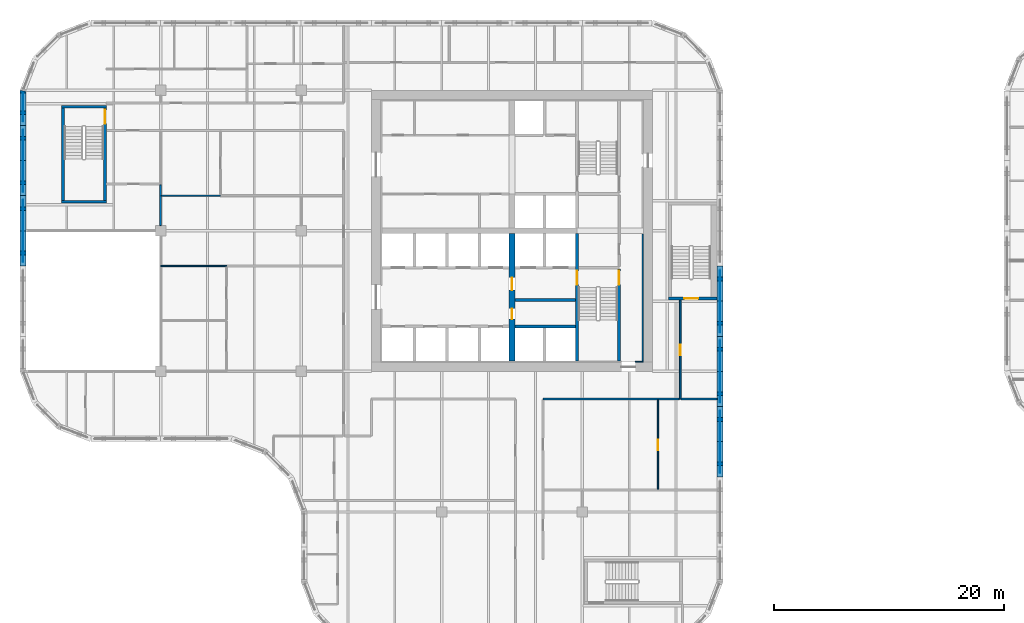
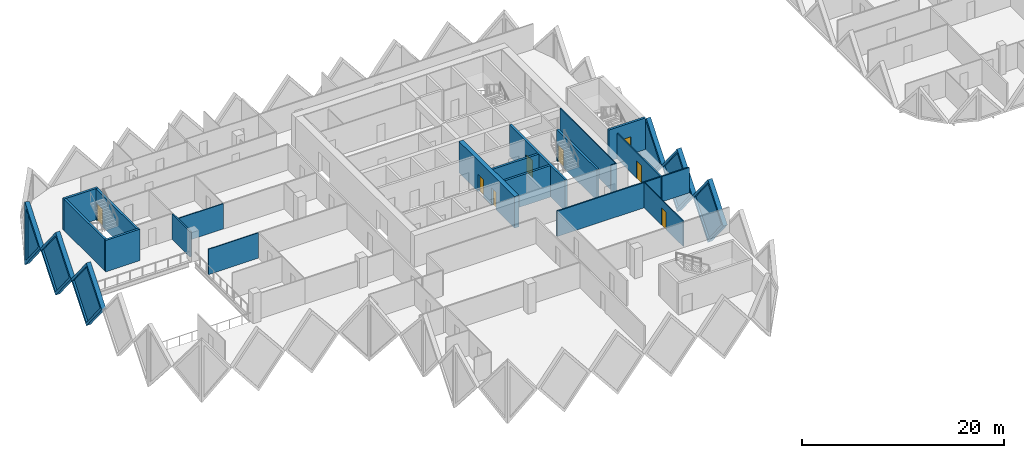
# One storey, part 7 of 18: 25 walls, 8 doors, 6 plates, 14 openings.
"""IFC4 building model written with IfcOpenShell, lengths in metres."""

from ifc_helpers import new_model, si_unit, direction, frame, frame_2d, origin, place, context, subcontext, project, spatial, polyline, rectangle, outline, extrude, faceted_brep, source, transform, mapped, material, layer, layer_set, type_object, element, fill, save


model = new_model("IFC4")

# Units and contexts
model_context = context("Model", 3, precision=1e-05, world=origin(), true_north=direction((0.0, 1.0)))
body_context = subcontext(model_context, "Body", "Model", "MODEL_VIEW")
ifc_project = project(units=[si_unit("LENGTHUNIT", "METRE"), si_unit("AREAUNIT", "SQUARE_METRE"), si_unit("VOLUMEUNIT", "CUBIC_METRE"), si_unit("PLANEANGLEUNIT", "RADIAN"), si_unit("MASSUNIT", "GRAM", prefix="KILO")], contexts=[model_context])

# Site, building, storey
site_placement = place(None, origin())
site = spatial("IfcSite", under=ifc_project, at=site_placement, CompositionType="ELEMENT")
building_placement = place(site_placement, origin())
building = spatial("IfcBuilding", under=site, at=building_placement, Name="Tessera Gate Towers", CompositionType="ELEMENT")
storey_placement = place(building_placement, frame((0.0, 0.0, 95.199951171875)))
storey = spatial("IfcBuildingStorey", under=building, at=storey_placement, Name="L23", CompositionType="ELEMENT", Elevation=95.199951171875)

# Wall, opening, door
ifc_material_1 = material(Name="Concrete C40/50", Category="concrete")
ifc_layer_1 = layer(ifc_material_1, 0.25)
ifc_layer_set_1 = layer_set([ifc_layer_1], Name="CORE ENCLOSURE WALL 250")
wall_type_1 = type_object("IfcWallType", Name="CORE ENCLOSURE WALL 250", PredefinedType="SOLIDWALL", material=ifc_layer_set_1)
wall_1_placement = place(storey_placement, frame((48.35009765625, 36.35009765625, 0.0), z_axis=(0.0, 0.0, 1.0), x_axis=(0.0, -1.0, 0.0)))
wall_1 = element("IfcWall", 1, at=wall_1_placement, inside=storey, type_object=wall_type_1, Name="L23 shaft and stair enclosure wall", PredefinedType="SOLIDWALL", context=body_context, shape_type="SweptSolid", body=[
    extrude(rectangle(XDim=11.050048828125, YDim=0.25, at=frame_2d((5.52490234375, 0.0))), origin(), (0.0, 0.0, 1.0), 3.800048828125),
])
shared_shape_1 = source(origin(), body_context, "Body", "SweptSolid", [
    extrude(rectangle(XDim=1.199951171875, YDim=2.10009765625, at=frame_2d((0.60009765625, 1.050048828125))), frame((0.0, 0.135009765625, 0.0), z_axis=(0.0, -1.0, 0.0), x_axis=(1.0, 0.0, 0.0)), (0.0, 0.0, 1.0), 0.27001953125),
])
opening_1_placement = place(wall_1_placement, frame((3.22509765625, 0.0, 0.0)))
opening_1 = element("IfcOpeningElement", 2, at=opening_1_placement, cuts=wall_1, Name="Opening SD-ST1-1", PredefinedType="OPENING", context=body_context, shape_type="MappedRepresentation", body=[
    mapped(shared_shape_1, transform((0.0, 0.0, 0.0), scale=1.0)),
])
ifc_material_2 = material(Name="Hollow steel fire door", Category="steel")
door_type_1 = type_object("IfcDoorType", Name="CORE DOOR SD 1200x2100", OperationType="NOTDEFINED", PredefinedType="DOOR", material=ifc_material_2)
shared_shape_2 = source(origin(), body_context, "Body", "SweptSolid", [
    extrude(rectangle(XDim=1.199951171875, YDim=2.10009765625, at=frame_2d((0.60009765625, 1.050048828125))), frame((0.0, 0.02490234375, 0.0), z_axis=(0.0, -1.0, 0.0), x_axis=(1.0, 0.0, 0.0)), (0.0, 0.0, 1.0), 0.050048828125),
])
door_1_placement = place(opening_1_placement, origin())
door_1 = element("IfcDoor", 3, at=door_1_placement, inside=storey, type_object=door_type_1, Name="Stair door", OperationType="SINGLE_SWING_LEFT", OverallHeight=2.10009765625, OverallWidth=1.199951171875, PredefinedType="DOOR", context=body_context, shape_type="MappedRepresentation", body=[
    mapped(shared_shape_2, transform((0.0, 0.0, 0.0), scale=1.0)),
])
fill(opening_1, door_1)

# Wall
wall_2_placement = place(storey_placement, frame((42.949951171875, 28.300048828125, 0.0), z_axis=(0.0, 0.0, 1.0), x_axis=(1.0, 0.0, 0.0)))
element("IfcWall", 4, at=wall_2_placement, inside=storey, type_object=wall_type_1, Name="L23 shaft and stair enclosure wall", PredefinedType="SOLIDWALL", context=body_context, shape_type="SweptSolid", body=[
    extrude(rectangle(XDim=5.275146484375, YDim=0.25, at=frame_2d((2.6376953125, 0.0))), origin(), (0.0, 0.0, 1.0), 3.800048828125),
])

# Wall, opening, door
wall_3_placement = place(storey_placement, frame((52.0, 25.300048828125, 0.0), z_axis=(0.0, 0.0, 1.0), x_axis=(0.0, 1.0, 0.0)))
wall_3 = element("IfcWall", 5, at=wall_3_placement, inside=storey, type_object=wall_type_1, Name="L23 shaft and stair enclosure wall", PredefinedType="SOLIDWALL", context=body_context, shape_type="SweptSolid", body=[
    extrude(rectangle(XDim=7.974853515625, YDim=0.25, at=frame_2d((3.9873046875, 0.0))), origin(), (0.0, 0.0, 1.0), 3.800048828125),
])
opening_2_placement = place(wall_3_placement, frame((6.625, 0.0, 0.0)))
opening_2 = element("IfcOpeningElement", 6, at=opening_2_placement, cuts=wall_3, Name="Opening SD-ST1-2", PredefinedType="OPENING", context=body_context, shape_type="MappedRepresentation", body=[
    mapped(shared_shape_1, transform((0.0, 0.0, 0.0), scale=1.0)),
])
door_2_placement = place(opening_2_placement, origin())
door_2 = element("IfcDoor", 7, at=door_2_placement, inside=storey, type_object=door_type_1, Name="Stair door", OperationType="SINGLE_SWING_RIGHT", OverallHeight=2.10009765625, OverallWidth=1.199951171875, PredefinedType="DOOR", context=body_context, shape_type="MappedRepresentation", body=[
    mapped(shared_shape_2, transform((0.0, 0.0, 0.0), scale=1.0)),
])
fill(opening_2, door_2)

# Walls
wall_4_placement = place(storey_placement, frame((42.949951171875, 30.60009765625, 0.0), z_axis=(0.0, 0.0, 1.0), x_axis=(1.0, 0.0, 0.0)))
element("IfcWall", 8, at=wall_4_placement, inside=storey, type_object=wall_type_1, Name="L23 shaft and stair enclosure wall", PredefinedType="SOLIDWALL", context=body_context, shape_type="SweptSolid", body=[
    extrude(rectangle(XDim=5.275146484375, YDim=0.25, at=frame_2d((2.6376953125, 0.0))), origin(), (0.0, 0.0, 1.0), 3.800048828125),
])
wall_5_placement = place(storey_placement, frame((7.5, 39.125, 0.0), z_axis=(0.0, 0.0, 1.0), x_axis=(-1.0, 0.0, 0.0)))
element("IfcWall", 9, at=wall_5_placement, inside=storey, type_object=wall_type_1, Name="L23 ST3 enclosure wall", PredefinedType="SOLIDWALL", context=body_context, shape_type="SweptSolid", body=[
    extrude(rectangle(XDim=3.89990234375, YDim=0.25, at=frame_2d((1.949951171875, 0.0))), origin(), (0.0, 0.0, 1.0), 3.800048828125),
])
wall_6_placement = place(storey_placement, frame((3.72509765625, 39.25, 0.0), z_axis=(0.0, 0.0, 1.0), x_axis=(0.0, 1.0, 0.0)))
element("IfcWall", 10, at=wall_6_placement, inside=storey, type_object=wall_type_1, Name="L23 ST3 enclosure wall", PredefinedType="SOLIDWALL", context=body_context, shape_type="SweptSolid", body=[
    extrude(rectangle(XDim=8.0, YDim=0.25, at=frame_2d((4.0, 0.0))), origin(), (0.0, 0.0, 1.0), 3.800048828125),
])
wall_7_placement = place(storey_placement, frame((3.60009765625, 47.375, 0.0), z_axis=(0.0, 0.0, 1.0), x_axis=(1.0, 0.0, 0.0)))
element("IfcWall", 11, at=wall_7_placement, inside=storey, type_object=wall_type_1, Name="L23 ST3 enclosure wall", PredefinedType="SOLIDWALL", context=body_context, shape_type="SweptSolid", body=[
    extrude(rectangle(XDim=3.89990234375, YDim=0.25, at=frame_2d((1.949951171875, 0.0))), origin(), (0.0, 0.0, 1.0), 3.800048828125),
])

# Wall, opening, door
wall_8_placement = place(storey_placement, frame((7.375, 47.25, 0.0), z_axis=(0.0, 0.0, 1.0), x_axis=(0.0, -1.0, 0.0)))
wall_8 = element("IfcWall", 12, at=wall_8_placement, inside=storey, type_object=wall_type_1, Name="L23 ST3 enclosure wall", PredefinedType="SOLIDWALL", context=body_context, shape_type="SweptSolid", body=[
    extrude(rectangle(XDim=8.0, YDim=0.25, at=frame_2d((4.0, 0.0))), origin(), (0.0, 0.0, 1.0), 3.800048828125),
])
opening_3_placement = place(wall_8_placement, frame((0.14990234375, 0.0, 0.0)))
opening_3 = element("IfcOpeningElement", 13, at=opening_3_placement, cuts=wall_8, Name="Opening SD-ST3-1", PredefinedType="OPENING", context=body_context, shape_type="MappedRepresentation", body=[
    mapped(shared_shape_1, transform((0.0, 0.0, 0.0), scale=1.0)),
])
door_3_placement = place(opening_3_placement, origin())
door_3 = element("IfcDoor", 14, at=door_3_placement, inside=storey, type_object=door_type_1, Name="Stair door", OperationType="SINGLE_SWING_LEFT", OverallHeight=2.10009765625, OverallWidth=1.199951171875, PredefinedType="DOOR", context=body_context, shape_type="MappedRepresentation", body=[
    mapped(shared_shape_2, transform((0.0, 0.0, 0.0), scale=1.0)),
])
fill(opening_3, door_3)

wall_9_placement = place(storey_placement, frame((60.5, 30.72509765625, 0.0), z_axis=(0.0, 0.0, 1.0), x_axis=(-1.0, 0.0, 0.0)))
wall_9 = element("IfcWall", 15, at=wall_9_placement, inside=storey, type_object=wall_type_1, Name="L23 ST5 enclosure wall", PredefinedType="SOLIDWALL", context=body_context, shape_type="SweptSolid", body=[
    extrude(rectangle(XDim=4.199951171875, YDim=0.25, at=frame_2d((2.10009765625, 0.0))), origin(), (0.0, 0.0, 1.0), 3.800048828125),
])
opening_4_placement = place(wall_9_placement, frame((1.64990234375, 0.0, 0.0)))
opening_4 = element("IfcOpeningElement", 16, at=opening_4_placement, cuts=wall_9, Name="Opening SD-ST5-1", PredefinedType="OPENING", context=body_context, shape_type="MappedRepresentation", body=[
    mapped(shared_shape_1, transform((0.0, 0.0, 0.0), scale=1.0)),
])
door_4_placement = place(opening_4_placement, origin())
door_4 = element("IfcDoor", 17, at=door_4_placement, inside=storey, type_object=door_type_1, Name="Stair door", OperationType="SINGLE_SWING_RIGHT", OverallHeight=2.10009765625, OverallWidth=1.199951171875, PredefinedType="DOOR", context=body_context, shape_type="MappedRepresentation", body=[
    mapped(shared_shape_2, transform((0.0, 0.0, 0.0), scale=1.0)),
])
fill(opening_4, door_4)

# Wall, openings, doors
ifc_material_3 = material(Name="Concrete C60/75", Category="concrete")
ifc_layer_2 = layer(ifc_material_3, 0.5)
ifc_layer_set_2 = layer_set([ifc_layer_2], Name="CORE SPINE WALL 500 C60/75")
wall_type_2 = type_object("IfcWallType", Name="CORE SPINE WALL 500 C60/75", PredefinedType="SHEAR", material=ifc_layer_set_2)
wall_10_placement = place(storey_placement, frame((42.699951171875, 36.35009765625, 0.0), z_axis=(0.0, 0.0, 1.0), x_axis=(0.0, -1.0, 0.0)))
wall_10 = element("IfcWall", 18, at=wall_10_placement, inside=storey, type_object=wall_type_2, Name="Core wall spine L23", PredefinedType="SHEAR", context=body_context, shape_type="SweptSolid", body=[
    extrude(rectangle(XDim=11.050048828125, YDim=0.5, at=frame_2d((5.52490234375, 0.0))), origin(), (0.0, 0.0, 1.0), 3.800048828125),
])
shared_shape_3 = source(origin(), body_context, "Body", "SweptSolid", [
    extrude(rectangle(XDim=0.89990234375, YDim=2.10009765625, at=frame_2d((0.449951171875, 1.050048828125))), frame((0.0, 0.260009765625, 0.0), z_axis=(0.0, -1.0, 0.0), x_axis=(1.0, 0.0, 0.0)), (0.0, 0.0, 1.0), 0.52001953125),
])
opening_5_placement = place(wall_10_placement, frame((6.5, 0.0, 0.0)))
opening_5 = element("IfcOpeningElement", 19, at=opening_5_placement, cuts=wall_10, Name="Opening RD-T1-15-05", PredefinedType="OPENING", context=body_context, shape_type="MappedRepresentation", body=[
    mapped(shared_shape_3, transform((0.0, 0.0, 0.0), scale=1.0)),
])
shared_shape_4 = source(origin(), body_context, "Body", "SweptSolid", [
    extrude(rectangle(XDim=1.10009765625, YDim=2.10009765625, at=frame_2d((0.550048828125, 1.050048828125))), frame((0.0, 0.260009765625, 0.0), z_axis=(0.0, -1.0, 0.0), x_axis=(1.0, 0.0, 0.0)), (0.0, 0.0, 1.0), 0.52001953125),
])
opening_6_placement = place(wall_10_placement, frame((3.800048828125, 0.0, 0.0)))
opening_6 = element("IfcOpeningElement", 20, at=opening_6_placement, cuts=wall_10, Name="Opening FD-T1-15-06", PredefinedType="OPENING", context=body_context, shape_type="MappedRepresentation", body=[
    mapped(shared_shape_4, transform((0.0, 0.0, 0.0), scale=1.0)),
])
ifc_material_4 = material(Name="Hollow steel fire door", Category="steel")
door_type_2 = type_object("IfcDoorType", Name="CORE DOOR RD 900x2100", OperationType="NOTDEFINED", PredefinedType="DOOR", material=ifc_material_4)
shared_shape_5 = source(origin(), body_context, "Body", "SweptSolid", [
    extrude(rectangle(XDim=0.89990234375, YDim=2.10009765625, at=frame_2d((0.449951171875, 1.050048828125))), frame((0.0, 0.02490234375, 0.0), z_axis=(0.0, -1.0, 0.0), x_axis=(1.0, 0.0, 0.0)), (0.0, 0.0, 1.0), 0.050048828125),
])
door_5_placement = place(opening_5_placement, origin())
door_5 = element("IfcDoor", 21, at=door_5_placement, inside=storey, type_object=door_type_2, Name="Core room door", OperationType="SINGLE_SWING_RIGHT", OverallHeight=2.10009765625, OverallWidth=0.89990234375, PredefinedType="DOOR", context=body_context, shape_type="MappedRepresentation", body=[
    mapped(shared_shape_5, transform((0.0, 0.0, 0.0), scale=1.0)),
])
fill(opening_5, door_5)
ifc_material_5 = material(Name="Hollow steel fire door", Category="steel")
door_type_3 = type_object("IfcDoorType", Name="CORE DOOR FD 1100x2100", OperationType="NOTDEFINED", PredefinedType="DOOR", material=ifc_material_5)
shared_shape_6 = source(origin(), body_context, "Body", "SweptSolid", [
    extrude(rectangle(XDim=1.10009765625, YDim=2.10009765625, at=frame_2d((0.550048828125, 1.050048828125))), frame((0.0, 0.02490234375, 0.0), z_axis=(0.0, -1.0, 0.0), x_axis=(1.0, 0.0, 0.0)), (0.0, 0.0, 1.0), 0.050048828125),
])
door_6_placement = place(opening_6_placement, origin())
door_6 = element("IfcDoor", 22, at=door_6_placement, inside=storey, type_object=door_type_3, Name="Fire-fighting lobby door", OperationType="SINGLE_SWING_LEFT", OverallHeight=2.10009765625, OverallWidth=1.10009765625, PredefinedType="DOOR", context=body_context, shape_type="MappedRepresentation", body=[
    mapped(shared_shape_6, transform((0.0, 0.0, 0.0), scale=1.0)),
])
fill(opening_6, door_6)

# Walls
ifc_material_6 = material(Name="Concrete C60/75", Category="concrete")
ifc_layer_3 = layer(ifc_material_6, 0.10009765625)
ifc_layer_set_3 = layer_set([ifc_layer_3], Name="CORE WALL THICKENING 100")
wall_type_3 = type_object("IfcWallType", Name="CORE WALL THICKENING 100", PredefinedType="SOLIDWALL", material=ifc_layer_set_3)
wall_11_placement = place(storey_placement, frame((53.39990234375, 25.25, 0.0), z_axis=(0.0, 0.0, 1.0), x_axis=(1.0, 0.0, 0.0)))
element("IfcWall", 23, at=wall_11_placement, inside=storey, type_object=wall_type_3, Name="Core wall thickening S L23", PredefinedType="SOLIDWALL", context=body_context, shape_type="SweptSolid", body=[
    extrude(rectangle(XDim=0.7001953125, YDim=0.10009765625, at=frame_2d((0.35009765625, 0.0))), origin(), (0.0, 0.0, 1.0), 3.800048828125),
])
wall_12_placement = place(storey_placement, frame((54.050048828125, 25.300048828125, 0.0), z_axis=(0.0, 0.0, 1.0), x_axis=(0.0, 1.0, 0.0)))
element("IfcWall", 24, at=wall_12_placement, inside=storey, type_object=wall_type_3, Name="Core wall thickening E L23", PredefinedType="SOLIDWALL", context=body_context, shape_type="SweptSolid", body=[
    extrude(rectangle(XDim=11.02001953125, YDim=0.10009765625, at=frame_2d((5.510009765625, 0.0))), origin(), (0.0, 0.0, 1.0), 3.800048828125),
])
ifc_material_7 = material(Name="Gypsum board on steel studs, mineral wool", Category="steel")
ifc_layer_4 = layer(ifc_material_7, 0.14990234375)
ifc_layer_set_4 = layer_set([ifc_layer_4], Name="CORRIDOR WALL 150")
wall_type_4 = type_object("IfcWallType", Name="CORRIDOR WALL 150", PredefinedType="PARTITIONING", material=ifc_layer_set_4)
wall_13_placement = place(storey_placement, frame((45.39990234375, 22.0, 0.0), z_axis=(0.0, 0.0, 1.0), x_axis=(1.0, 0.0, 0.0)))
element("IfcWall", 25, at=wall_13_placement, inside=storey, type_object=wall_type_4, Name="T1-L23-PW-023", PredefinedType="PARTITIONING", context=body_context, shape_type="SweptSolid", body=[
    extrude(rectangle(XDim=11.82421875, YDim=0.14990234375, at=frame_2d((5.912109375, 0.0))), origin(), (0.0, 0.0, 1.0), 3.067138671875),
])

# Wall, opening, door
wall_14_placement = place(storey_placement, frame((57.300048828125, 30.60009765625, 0.0), z_axis=(0.0, 0.0, 1.0), x_axis=(0.0, -1.0, 0.0)))
wall_14 = element("IfcWall", 26, at=wall_14_placement, inside=storey, type_object=wall_type_4, Name="T1-L23-PW-024", PredefinedType="PARTITIONING", context=body_context, shape_type="SweptSolid", body=[
    extrude(rectangle(XDim=8.60009765625, YDim=0.14990234375, at=frame_2d((4.300048828125, 0.0))), origin(), (0.0, 0.0, 1.0), 3.067138671875),
])
shared_shape_7 = source(origin(), body_context, "Body", "SweptSolid", [
    extrude(rectangle(XDim=0.89990234375, YDim=2.10009765625, at=frame_2d((0.449951171875, 1.050048828125))), frame((0.0, 0.0849609375, 0.0), z_axis=(0.0, -1.0, 0.0), x_axis=(1.0, 0.0, 0.0)), (0.0, 0.0, 1.0), 0.169921875),
])
opening_7_placement = place(wall_14_placement, frame((3.89990234375, 0.0, 0.0)))
opening_7 = element("IfcOpeningElement", 27, at=opening_7_placement, cuts=wall_14, Name="Opening D890FD60-A08-06", PredefinedType="OPENING", context=body_context, shape_type="MappedRepresentation", body=[
    mapped(shared_shape_7, transform((0.0, 0.0, 0.0), scale=1.0)),
])
ifc_material_8 = material(Name="Timber door leaf in steel frame", Category="steel")
door_type_4 = type_object("IfcDoorType", Name="CORRIDOR DOOR 900 FD60", OperationType="NOTDEFINED", PredefinedType="DOOR", material=ifc_material_8)
door_7_placement = place(opening_7_placement, origin())
door_7 = element("IfcDoor", 28, at=door_7_placement, inside=storey, type_object=door_type_4, Name="T1-L23-PD-021", OperationType="SINGLE_SWING_RIGHT", OverallHeight=2.10009765625, OverallWidth=0.89990234375, PredefinedType="DOOR", context=body_context, shape_type="MappedRepresentation", body=[
    mapped(shared_shape_5, transform((0.0, 0.0, 0.0), scale=1.0)),
])
fill(opening_7, door_7)

ifc_material_9 = material(Name="Glass", Category="glass")
ifc_layer_5 = layer(ifc_material_9, 0.10009765625)
ifc_layer_set_5 = layer_set([ifc_layer_5], Name="GLAZED PARTITION 100")
wall_type_5 = type_object("IfcWallType", Name="GLAZED PARTITION 100", PredefinedType="PARTITIONING", material=ifc_layer_set_5)
wall_15_placement = place(storey_placement, frame((55.364990234375, 21.924072265625, 0.0), z_axis=(0.0, 0.0, 1.0), x_axis=(0.0, -1.0, 0.0)))
wall_15 = element("IfcWall", 29, at=wall_15_placement, inside=storey, type_object=wall_type_5, Name="T1-L23-PW-014", PredefinedType="PARTITIONING", context=body_context, shape_type="SweptSolid", body=[
    extrude(rectangle(XDim=7.748046875, YDim=0.10009765625, at=frame_2d((3.8740234375, 0.0))), origin(), (0.0, 0.0, 1.0), 3.067138671875),
])
shared_shape_8 = source(origin(), body_context, "Body", "SweptSolid", [
    extrude(rectangle(XDim=0.89990234375, YDim=2.10009765625, at=frame_2d((0.449951171875, 1.050048828125))), frame((0.0, 0.06005859375, 0.0), z_axis=(0.0, -1.0, 0.0), x_axis=(1.0, 0.0, 0.0)), (0.0, 0.0, 1.0), 0.1201171875),
])
opening_8_placement = place(wall_15_placement, frame((3.447998046875, 0.0, 0.0)))
opening_8 = element("IfcOpeningElement", 30, at=opening_8_placement, cuts=wall_15, Name="Opening D690-A08-10", PredefinedType="OPENING", context=body_context, shape_type="MappedRepresentation", body=[
    mapped(shared_shape_8, transform((0.0, 0.0, 0.0), scale=1.0)),
])
ifc_material_10 = material(Name="Glass in aluminium frame", Category="aluminium")
door_type_5 = type_object("IfcDoorType", Name="GLAZED DOOR 900 NOT RATED", OperationType="NOTDEFINED", PredefinedType="DOOR", material=ifc_material_10)
door_8_placement = place(opening_8_placement, origin())
door_8 = element("IfcDoor", 31, at=door_8_placement, inside=storey, type_object=door_type_5, Name="T1-L23-PD-018", OperationType="SINGLE_SWING_RIGHT", OverallHeight=2.10009765625, OverallWidth=0.89990234375, PredefinedType="DOOR", context=body_context, shape_type="MappedRepresentation", body=[
    mapped(shared_shape_5, transform((0.0, 0.0, 0.0), scale=1.0)),
])
fill(opening_8, door_8)

# Walls
wall_16_placement = place(storey_placement, frame((12.199951171875, 33.550048828125, 0.0), z_axis=(0.0, 0.0, 1.0), x_axis=(1.0, 0.0, 0.0)))
element("IfcWall", 32, at=wall_16_placement, inside=storey, type_object=wall_type_5, Name="T1-L23-PW-032", PredefinedType="PARTITIONING", context=body_context, shape_type="SweptSolid", body=[
    extrude(rectangle(XDim=5.72412109375, YDim=0.10009765625, at=frame_2d((2.862060546875, 0.0))), origin(), (0.0, 0.0, 1.0), 3.067138671875),
])
wall_17_placement = place(storey_placement, frame((12.27587890625, 39.64990234375, 0.0), z_axis=(0.0, 0.0, 1.0), x_axis=(1.0, 0.0, 0.0)))
element("IfcWall", 33, at=wall_17_placement, inside=storey, type_object=wall_type_5, Name="T1-L23-PW-036", PredefinedType="PARTITIONING", context=body_context, shape_type="SweptSolid", body=[
    extrude(rectangle(XDim=5.123046875, YDim=0.10009765625, at=frame_2d((2.5615234375, 0.0))), origin(), (0.0, 0.0, 1.0), 3.067138671875),
])
ifc_material_11 = material(Name="Gypsum board on steel studs, mineral wool", Category="steel")
ifc_layer_6 = layer(ifc_material_11, 0.14990234375)
ifc_layer_set_6 = layer_set([ifc_layer_6], Name="TENANCY WALL 150")
wall_type_6 = type_object("IfcWallType", Name="TENANCY WALL 150", PredefinedType="PARTITIONING", material=ifc_layer_set_6)
wall_18_placement = place(storey_placement, frame((57.3759765625, 22.0, 0.0), z_axis=(0.0, 0.0, 1.0), x_axis=(1.0, 0.0, 0.0)))
element("IfcWall", 34, at=wall_18_placement, inside=storey, type_object=wall_type_6, Name="T1-L23-PW-025", PredefinedType="PARTITIONING", context=body_context, shape_type="SweptSolid", body=[
    extrude(rectangle(XDim=3.1240234375, YDim=0.14990234375, at=frame_2d((1.56201171875, 0.0))), origin(), (0.0, 0.0, 1.0), 3.067138671875),
])
wall_19_placement = place(storey_placement, frame((12.199951171875, 37.051025390625, 0.0), z_axis=(0.0, 0.0, 1.0), x_axis=(0.0, 1.0, 0.0)))
element("IfcWall", 35, at=wall_19_placement, inside=storey, type_object=wall_type_6, Name="T1-L23-PW-034", PredefinedType="PARTITIONING", context=body_context, shape_type="SweptSolid", body=[
    extrude(rectangle(XDim=3.548095703125, YDim=0.14990234375, at=frame_2d((1.77392578125, 0.0))), origin(), (0.0, 0.0, 1.0), 3.067138671875),
])

# Wall, opening, plate
ifc_material_12 = material(Name="Precast concrete C60/75 white", Category="concrete")
ifc_layer_7 = layer(ifc_material_12, 0.5)
ifc_layer_set_7 = layer_set([ifc_layer_7], Name="TS1 tessera")
wall_type_7 = type_object("IfcWallType", Name="TS1 tessera", PredefinedType="SOLIDWALL", material=ifc_layer_set_7)
shared_shape_9 = source(origin(), body_context, "Body", "Brep", [
    faceted_brep([(3.050048828125, -0.25, 0.0), (6.099853515625, -0.25, 3.7998046875), (6.099853515625, -0.25, 3.80029296875), (3.050048828125, -0.25, 7.60009765625), (0.0, -0.25, 3.800048828125), (0.0, 0.25, 3.800048828125), (3.050048828125, 0.25, 7.60009765625), (6.099853515625, 0.25, 3.80029296875), (6.099853515625, 0.25, 3.7998046875), (3.050048828125, 0.25, 0.0)], [[[0, 1, 2, 3, 4]], [[5, 6, 7, 8, 9]], [[9, 8, 1, 0]], [[7, 6, 3, 2]], [[6, 5, 4, 3]], [[5, 9, 0, 4]], [[1, 8, 7, 2]]]),
])
wall_20_placement = place(storey_placement, frame((60.75, 21.35009765625, -3.800048828125), z_axis=(0.0, 0.0, 1.0), x_axis=(0.0, 1.0, 0.0)))
wall_20 = element("IfcWall", 36, at=wall_20_placement, inside=storey, type_object=wall_type_7, Name="Precast tessera T1 TS1-0374", PredefinedType="SOLIDWALL", context=body_context, shape_type="MappedRepresentation", body=[
    mapped(shared_shape_9, transform((0.0, 0.0, 0.0), scale=1.0)),
])
shared_shape_10 = source(origin(), body_context, "Body", "SweptSolid", [
    extrude(outline(polyline([(3.050048828125, 0.3994140625), (5.779541015625, 3.800048828125), (3.050048828125, 7.20068359375), (0.320556640625, 3.800048828125), (3.050048828125, 0.3994140625)])), frame((0.0, 0.260009765625, 0.0), z_axis=(0.0, -1.0, 0.0), x_axis=(1.0, 0.0, 0.0)), (0.0, 0.0, 1.0), 0.52001953125),
])
opening_9_placement = place(wall_20_placement, origin())
opening_9 = element("IfcOpeningElement", 37, at=opening_9_placement, cuts=wall_20, Name="Opening T1-PL2-0762", PredefinedType="OPENING", context=body_context, shape_type="MappedRepresentation", body=[
    mapped(shared_shape_10, transform((0.0, 0.0, 0.0), scale=1.0)),
])
ifc_material_13 = material(Name="Low-e laminated glass", Category="glass")
ifc_layer_8 = layer(ifc_material_13, 0.06005859375)
ifc_layer_set_8 = layer_set([ifc_layer_8], Name="PL2 rhombic pane")
plate_type = type_object("IfcPlateType", Name="PL2 rhombic pane", PredefinedType="SHEET", material=ifc_layer_set_8)
shared_shape_11 = source(origin(), body_context, "Body", "SweptSolid", [
    extrude(outline(polyline([(3.050048828125, 0.3994140625), (5.779541015625, 3.800048828125), (3.050048828125, 7.20068359375), (0.320556640625, 3.800048828125), (3.050048828125, 0.3994140625)])), frame((0.0, 0.030029296875, 0.0), z_axis=(0.0, -1.0, 0.0), x_axis=(1.0, 0.0, 0.0)), (0.0, 0.0, 1.0), 0.06005859375),
])
plate_1_placement = place(opening_9_placement, origin())
plate_1 = element("IfcPlate", 38, at=plate_1_placement, inside=storey, type_object=plate_type, Name="Glass pane T1 PL2-0762", PredefinedType="SHEET", context=body_context, shape_type="MappedRepresentation", body=[
    mapped(shared_shape_11, transform((0.0, 0.0, 0.0), scale=1.0)),
])
fill(opening_9, plate_1)

wall_21_placement = place(storey_placement, frame((0.25, 39.64990234375, -3.800048828125), z_axis=(0.0, 0.0, 1.0), x_axis=(0.0, -1.0, 0.0)))
wall_21 = element("IfcWall", 39, at=wall_21_placement, inside=storey, type_object=wall_type_7, Name="Precast tessera T1 TS1-0387", PredefinedType="SOLIDWALL", context=body_context, shape_type="MappedRepresentation", body=[
    mapped(shared_shape_9, transform((0.0, 0.0, 0.0), scale=1.0)),
])
opening_10_placement = place(wall_21_placement, origin())
opening_10 = element("IfcOpeningElement", 40, at=opening_10_placement, cuts=wall_21, Name="Opening T1-PL2-0783", PredefinedType="OPENING", context=body_context, shape_type="MappedRepresentation", body=[
    mapped(shared_shape_10, transform((0.0, 0.0, 0.0), scale=1.0)),
])
plate_2_placement = place(opening_10_placement, origin())
plate_2 = element("IfcPlate", 41, at=plate_2_placement, inside=storey, type_object=plate_type, Name="Glass pane T1 PL2-0783", PredefinedType="SHEET", context=body_context, shape_type="MappedRepresentation", body=[
    mapped(shared_shape_11, transform((0.0, 0.0, 0.0), scale=1.0)),
])
fill(opening_10, plate_2)

shared_shape_12 = source(origin(), body_context, "Body", "SweptSolid", [
    extrude(outline(polyline([(3.050048828125, 0.0), (6.10009765625, 3.800048828125), (3.050048828125, 7.60009765625), (0.0, 3.800048828125), (3.050048828125, 0.0)])), frame((0.0, 0.25, 0.0), z_axis=(0.0, -1.0, 0.0), x_axis=(1.0, 0.0, 0.0)), (0.0, 0.0, 1.0), 0.5),
])
wall_22_placement = place(storey_placement, frame((60.75, 15.25, -3.800048828125), z_axis=(0.0, 0.0, 1.0), x_axis=(0.0, 1.0, 0.0)))
wall_22 = element("IfcWall", 42, at=wall_22_placement, inside=storey, type_object=wall_type_7, Name="Precast tessera T1 TS1-0373", PredefinedType="SOLIDWALL", context=body_context, shape_type="MappedRepresentation", body=[
    mapped(shared_shape_12, transform((0.0, 0.0, 0.0), scale=1.0)),
])
opening_11_placement = place(wall_22_placement, origin())
opening_11 = element("IfcOpeningElement", 43, at=opening_11_placement, cuts=wall_22, Name="Opening T1-PL2-0761", PredefinedType="OPENING", context=body_context, shape_type="MappedRepresentation", body=[
    mapped(shared_shape_10, transform((0.0, 0.0, 0.0), scale=1.0)),
])
plate_3_placement = place(opening_11_placement, origin())
plate_3 = element("IfcPlate", 44, at=plate_3_placement, inside=storey, type_object=plate_type, Name="Glass pane T1 PL2-0761", PredefinedType="SHEET", context=body_context, shape_type="MappedRepresentation", body=[
    mapped(shared_shape_11, transform((0.0, 0.0, 0.0), scale=1.0)),
])
fill(opening_11, plate_3)

wall_23_placement = place(storey_placement, frame((60.75, 27.449951171875, -3.800048828125), z_axis=(0.0, 0.0, 1.0), x_axis=(0.0, 1.0, 0.0)))
wall_23 = element("IfcWall", 45, at=wall_23_placement, inside=storey, type_object=wall_type_7, Name="Precast tessera T1 TS1-0375", PredefinedType="SOLIDWALL", context=body_context, shape_type="MappedRepresentation", body=[
    mapped(shared_shape_12, transform((0.0, 0.0, 0.0), scale=1.0)),
])
opening_12_placement = place(wall_23_placement, origin())
opening_12 = element("IfcOpeningElement", 46, at=opening_12_placement, cuts=wall_23, Name="Opening T1-PL2-0763", PredefinedType="OPENING", context=body_context, shape_type="MappedRepresentation", body=[
    mapped(shared_shape_10, transform((0.0, 0.0, 0.0), scale=1.0)),
])
plate_4_placement = place(opening_12_placement, origin())
plate_4 = element("IfcPlate", 47, at=plate_4_placement, inside=storey, type_object=plate_type, Name="Glass pane T1 PL2-0763", PredefinedType="SHEET", context=body_context, shape_type="MappedRepresentation", body=[
    mapped(shared_shape_11, transform((0.0, 0.0, 0.0), scale=1.0)),
])
fill(opening_12, plate_4)

wall_24_placement = place(storey_placement, frame((0.25, 45.75, -3.800048828125), z_axis=(0.0, 0.0, 1.0), x_axis=(0.0, -1.0, 0.0)))
wall_24 = element("IfcWall", 48, at=wall_24_placement, inside=storey, type_object=wall_type_7, Name="Precast tessera T1 TS1-0386", PredefinedType="SOLIDWALL", context=body_context, shape_type="MappedRepresentation", body=[
    mapped(shared_shape_12, transform((0.0, 0.0, 0.0), scale=1.0)),
])
opening_13_placement = place(wall_24_placement, origin())
opening_13 = element("IfcOpeningElement", 49, at=opening_13_placement, cuts=wall_24, Name="Opening T1-PL2-0782", PredefinedType="OPENING", context=body_context, shape_type="MappedRepresentation", body=[
    mapped(shared_shape_10, transform((0.0, 0.0, 0.0), scale=1.0)),
])
plate_5_placement = place(opening_13_placement, origin())
plate_5 = element("IfcPlate", 50, at=plate_5_placement, inside=storey, type_object=plate_type, Name="Glass pane T1 PL2-0782", PredefinedType="SHEET", context=body_context, shape_type="MappedRepresentation", body=[
    mapped(shared_shape_11, transform((0.0, 0.0, 0.0), scale=1.0)),
])
fill(opening_13, plate_5)

ifc_material_14 = material(Name="Precast concrete C60/75 white", Category="concrete")
ifc_layer_9 = layer(ifc_material_14, 0.5)
ifc_layer_set_9 = layer_set([ifc_layer_9], Name="TS3 corner tessera")
wall_type_8 = type_object("IfcWallType", Name="TS3 corner tessera", PredefinedType="SOLIDWALL", material=ifc_layer_set_9)
shared_shape_13 = source(origin(), body_context, "Body", "Brep", [
    faceted_brep([(0.046630859375, -0.25, 0.0), (3.050048828125, -0.25, 3.800048828125), (0.046630859375, -0.25, 7.60009765625), (0.0, -0.25, 7.5400390625), (0.0, -0.25, 0.06005859375), (0.09326171875, 0.25, 7.541259765625), (3.050048828125, 0.25, 3.800048828125), (0.09326171875, 0.25, 0.058837890625), (0.046630859375, 0.0, 0.0), (0.046630859375, 0.0, 7.60009765625)], [[[0, 1, 2, 3, 4]], [[5, 6, 7]], [[7, 6, 1, 0, 8]], [[6, 5, 9, 2, 1]], [[3, 2, 9]], [[8, 0, 4]], [[7, 8, 4, 3, 9, 5]]]),
])
wall_25_placement = place(storey_placement, frame((0.25, 48.800048828125, -3.800048828125), z_axis=(0.0, 0.0, 1.0), x_axis=(0.0, -1.0, 0.0)))
wall_25 = element("IfcWall", 51, at=wall_25_placement, inside=storey, type_object=wall_type_8, Name="Precast corner tessera T1 TS3-0516", PredefinedType="SOLIDWALL", context=body_context, shape_type="MappedRepresentation", body=[
    mapped(shared_shape_13, transform((0.0, 0.0, 0.0), scale=1.0)),
])
shared_shape_14 = source(origin(), body_context, "Body", "SweptSolid", [
    extrude(outline(polyline([(0.24658203125, 0.65625), (2.7314453125, 3.800048828125), (0.24658203125, 6.94384765625), (0.24658203125, 0.65625)])), frame((0.0, 0.260009765625, 0.0), z_axis=(0.0, -1.0, 0.0), x_axis=(1.0, 0.0, 0.0)), (0.0, 0.0, 1.0), 0.52001953125),
])
opening_14_placement = place(wall_25_placement, origin())
opening_14 = element("IfcOpeningElement", 52, at=opening_14_placement, cuts=wall_25, Name="Opening T1-PL2-0781", PredefinedType="OPENING", context=body_context, shape_type="MappedRepresentation", body=[
    mapped(shared_shape_14, transform((0.0, 0.0, 0.0), scale=1.0)),
])
shared_shape_15 = source(origin(), body_context, "Body", "SweptSolid", [
    extrude(outline(polyline([(0.24658203125, 0.65625), (2.7314453125, 3.800048828125), (0.24658203125, 6.94384765625), (0.24658203125, 0.65625)])), frame((0.0, 0.030029296875, 0.0), z_axis=(0.0, -1.0, 0.0), x_axis=(1.0, 0.0, 0.0)), (0.0, 0.0, 1.0), 0.06005859375),
])
plate_6_placement = place(opening_14_placement, origin())
plate_6 = element("IfcPlate", 53, at=plate_6_placement, inside=storey, type_object=plate_type, Name="Glass pane T1 PL2-0781", PredefinedType="SHEET", context=body_context, shape_type="MappedRepresentation", body=[
    mapped(shared_shape_15, transform((0.0, 0.0, 0.0), scale=1.0)),
])
fill(opening_14, plate_6)

save(model, "model.ifc")
